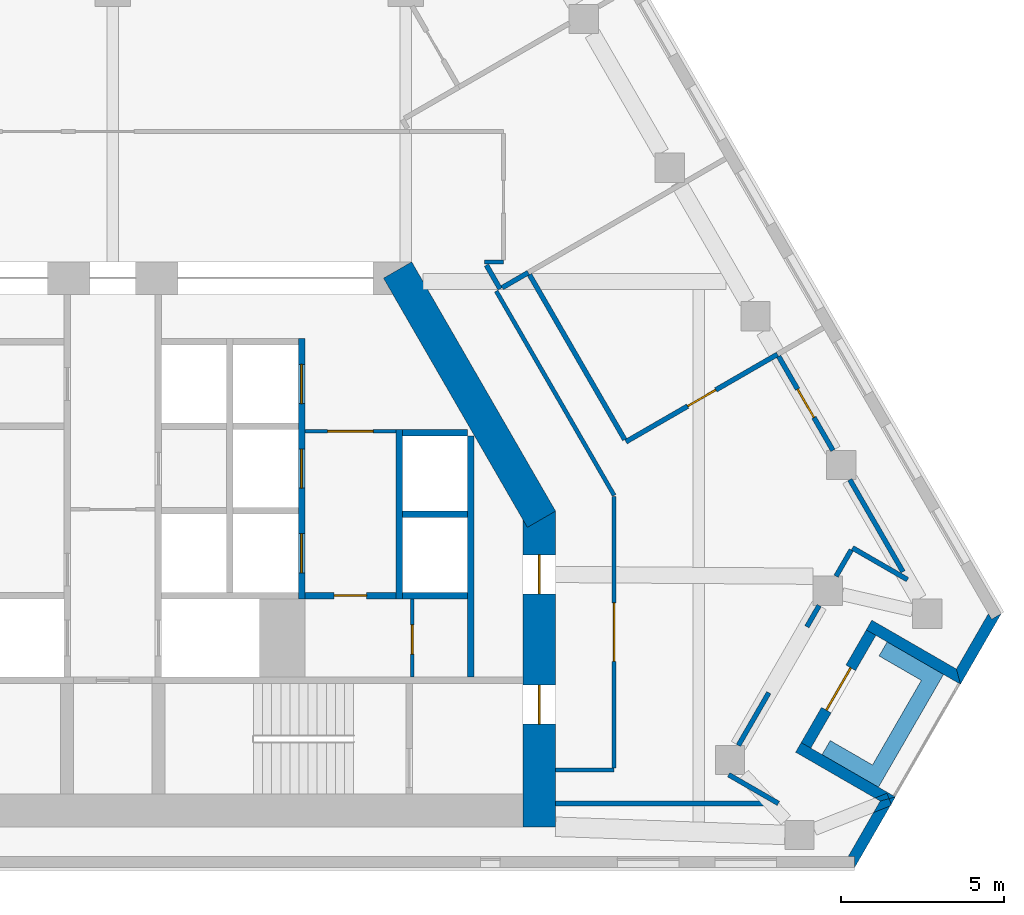
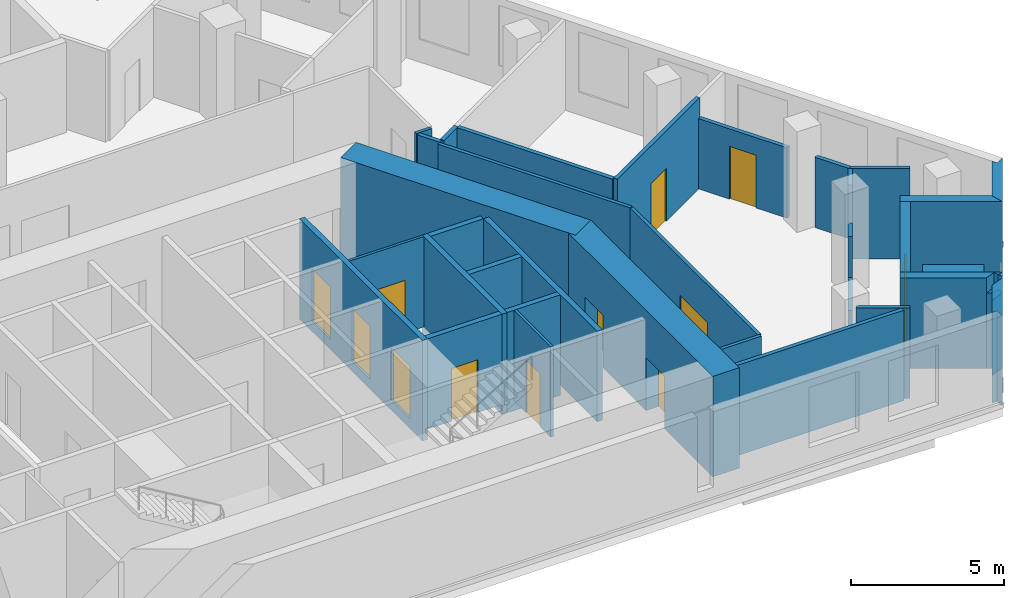
# One storey, part 6 of 9: 36 walls, 12 doors, 12 openings.
"""IFC4 building model written with IfcOpenShell, lengths in metres."""

from ifc_helpers import new_model, si_unit, direction, frame, frame_2d, origin, place, context, subcontext, project, spatial, polyline, rectangle, outline, extrude, material, layer, layer_set, type_object, element, fill, save


model = new_model("IFC4")

# Units and contexts
model_context = context("Model", 3, precision=1e-05, world=origin(), true_north=direction((0.0, 1.0)))
body_context = subcontext(model_context, "Body", "Model", "MODEL_VIEW")
ifc_project = project(units=[si_unit("LENGTHUNIT", "METRE"), si_unit("AREAUNIT", "SQUARE_METRE"), si_unit("VOLUMEUNIT", "CUBIC_METRE"), si_unit("PLANEANGLEUNIT", "RADIAN"), si_unit("MASSUNIT", "GRAM", prefix="KILO")], contexts=[model_context])

# Site, building, storey
site_placement = place(None, origin())
site = spatial("IfcSite", under=ifc_project, at=site_placement, CompositionType="ELEMENT")
building_placement = place(site_placement, origin())
building = spatial("IfcBuilding", under=site, at=building_placement, Name="Fogline Exchange Tower", CompositionType="ELEMENT")
storey_placement = place(building_placement, frame((0.0, 0.0, 206.10009765625)))
storey = spatial("IfcBuildingStorey", under=building, at=storey_placement, Name="L46", CompositionType="ELEMENT", Elevation=206.10009765625)

# Wall, opening, door
ifc_material_1 = material(Name="Blockwork partition", Category="masonry")
ifc_layer_1 = layer(ifc_material_1, 0.10009765625)
ifc_layer_set_1 = layer_set([ifc_layer_1], Name="CW10")
wall_type_1 = type_object("IfcWallType", Name="CW10", PredefinedType="PARTITIONING", material=ifc_layer_set_1)
wall_1_placement = place(storey_placement, frame((5.89990234375, 13.39990234375, 0.0), z_axis=(0.0, 0.0, 1.0), x_axis=(1.0, 0.0, 0.0)))
wall_1 = element("IfcWall", 1, at=wall_1_placement, inside=storey, type_object=wall_type_1, Name="Lift lobby partition", PredefinedType="PARTITIONING", context=body_context, shape_type="SweptSolid", body=[
    extrude(rectangle(XDim=2.800048828125, YDim=0.10009765625, at=frame_2d((1.39990234375, 0.0))), origin(), (0.0, 0.0, 1.0), 3.599853515625),
])
opening_1_placement = place(wall_1_placement, frame((0.699951171875, 0.0, 0.0)))
opening_1 = element("IfcOpeningElement", 2, at=opening_1_placement, cuts=wall_1, Name="Opening T15-C013", PredefinedType="OPENING", context=body_context, shape_type="SweptSolid", body=[
    extrude(rectangle(XDim=1.39990234375, YDim=2.10009765625, at=frame_2d((0.699951171875, 1.050048828125))), frame((0.0, 0.06005859375, 0.0), z_axis=(0.0, -1.0, 0.0), x_axis=(1.0, 0.0, 0.0)), (0.0, 0.0, 1.0), 0.1201171875),
])
ifc_material_2 = material(Name="Steel and timber fire door", Category="steel")
door_type_1 = type_object("IfcDoorType", Name="D-LB1", OperationType="DOUBLE_DOOR_SINGLE_SWING", PredefinedType="DOOR", material=ifc_material_2)
door_1_placement = place(opening_1_placement, frame((1.39990234375, 0.0, 0.0), z_axis=(0.0, 0.0, 1.0), x_axis=(-1.0, 0.0, 0.0)))
door_1 = element("IfcDoor", 3, at=door_1_placement, inside=storey, type_object=door_type_1, Name="Door to lift lobby", OperationType="DOUBLE_DOOR_SINGLE_SWING", OverallHeight=2.10009765625, OverallWidth=1.39990234375, PredefinedType="DOOR", context=body_context, shape_type="SweptSolid", body=[
    extrude(rectangle(XDim=1.39990234375, YDim=2.10009765625, at=frame_2d((0.699951171875, 1.050048828125))), frame((0.0, 0.02490234375, 0.0), z_axis=(0.0, -1.0, 0.0), x_axis=(1.0, 0.0, 0.0)), (0.0, 0.0, 1.0), 0.050048828125),
])
fill(opening_1, door_1)

wall_2_placement = place(storey_placement, frame((9.199951171875, 5.85009765625, 0.0), z_axis=(0.0, 0.0, 1.0), x_axis=(0.0, 1.0, 0.0)))
wall_2 = element("IfcWall", 4, at=wall_2_placement, inside=storey, type_object=wall_type_1, Name="WC partition", PredefinedType="PARTITIONING", context=body_context, shape_type="SweptSolid", body=[
    extrude(rectangle(XDim=2.39990234375, YDim=0.10009765625, at=frame_2d((1.199951171875, 0.0))), origin(), (0.0, 0.0, 1.0), 3.599853515625),
])
opening_2_placement = place(wall_2_placement, frame((0.699951171875, 0.0, 0.0)))
opening_2 = element("IfcOpeningElement", 5, at=opening_2_placement, cuts=wall_2, Name="Opening T15-C015", PredefinedType="OPENING", context=body_context, shape_type="SweptSolid", body=[
    extrude(rectangle(XDim=0.89990234375, YDim=2.10009765625, at=frame_2d((0.449951171875, 1.050048828125))), frame((0.0, 0.06005859375, 0.0), z_axis=(0.0, -1.0, 0.0), x_axis=(1.0, 0.0, 0.0)), (0.0, 0.0, 1.0), 0.1201171875),
])
door_type_2 = type_object("IfcDoorType", Name="D-CS1", OperationType="SINGLE_SWING_RIGHT", PredefinedType="DOOR", material=ifc_material_2)
door_2_placement = place(opening_2_placement, frame((0.89990234375, 0.0, 0.0), z_axis=(0.0, 0.0, 1.0), x_axis=(-1.0, 0.0, 0.0)))
door_2 = element("IfcDoor", 6, at=door_2_placement, inside=storey, type_object=door_type_2, Name="Door to Cleaner's Store", OperationType="SINGLE_SWING_RIGHT", OverallHeight=2.10009765625, OverallWidth=0.89990234375, PredefinedType="DOOR", context=body_context, shape_type="SweptSolid", body=[
    extrude(rectangle(XDim=0.89990234375, YDim=2.10009765625, at=frame_2d((0.449951171875, 1.050048828125))), frame((0.0, 0.02490234375, 0.0), z_axis=(0.0, -1.0, 0.0), x_axis=(1.0, 0.0, 0.0)), (0.0, 0.0, 1.0), 0.050048828125),
])
fill(opening_2, door_2)

# Wall
ifc_material_3 = material(Name="Concrete C40", Category="concrete")
ifc_layer_2 = layer(ifc_material_3, 0.199951171875)
ifc_layer_set_2 = layer_set([ifc_layer_2], Name="CW20")
wall_type_2 = type_object("IfcWallType", Name="CW20", PredefinedType="SOLIDWALL", material=ifc_layer_set_2)
wall_3_placement = place(storey_placement, frame((11.0, 5.85009765625, 0.0), z_axis=(0.0, 0.0, 1.0), x_axis=(0.0, 1.0, 0.0)))
element("IfcWall", 7, at=wall_3_placement, inside=storey, type_object=wall_type_2, Name="Service room wall", PredefinedType="SOLIDWALL", context=body_context, shape_type="SweptSolid", body=[
    extrude(rectangle(XDim=7.39990234375, YDim=0.199951171875, at=frame_2d((3.699951171875, 0.0))), origin(), (0.0, 0.0, 1.0), 3.599853515625),
])

# Wall, opening, door
wall_4_placement = place(storey_placement, frame((5.89990234375, 8.35009765625, 0.0), z_axis=(0.0, 0.0, 1.0), x_axis=(1.0, 0.0, 0.0)))
wall_4 = element("IfcWall", 8, at=wall_4_placement, inside=storey, type_object=wall_type_2, Name="WC wall", PredefinedType="SOLIDWALL", context=body_context, shape_type="SweptSolid", body=[
    extrude(rectangle(XDim=2.800048828125, YDim=0.199951171875, at=frame_2d((1.39990234375, 0.0))), origin(), (0.0, 0.0, 1.0), 3.599853515625),
])
opening_3_placement = place(wall_4_placement, frame((0.89990234375, 0.0, 0.0)))
opening_3 = element("IfcOpeningElement", 9, at=opening_3_placement, cuts=wall_4, Name="Opening T15-C014", PredefinedType="OPENING", context=body_context, shape_type="SweptSolid", body=[
    extrude(rectangle(XDim=1.0, YDim=2.10009765625, at=frame_2d((0.5, 1.050048828125))), frame((0.0, 0.10986328125, 0.0), z_axis=(0.0, -1.0, 0.0), x_axis=(1.0, 0.0, 0.0)), (0.0, 0.0, 1.0), 0.219970703125),
])
door_type_3 = type_object("IfcDoorType", Name="D-WC1", OperationType="SINGLE_SWING_LEFT", PredefinedType="DOOR", material=ifc_material_2)
door_3_placement = place(opening_3_placement, frame((1.0, 0.0, 0.0), z_axis=(0.0, 0.0, 1.0), x_axis=(-1.0, 0.0, 0.0)))
door_3 = element("IfcDoor", 10, at=door_3_placement, inside=storey, type_object=door_type_3, Name="Door to Women's WC", OperationType="SINGLE_SWING_LEFT", OverallHeight=2.10009765625, OverallWidth=1.0, PredefinedType="DOOR", context=body_context, shape_type="SweptSolid", body=[
    extrude(rectangle(XDim=1.0, YDim=2.10009765625, at=frame_2d((0.5, 1.050048828125))), frame((0.0, 0.02490234375, 0.0), z_axis=(0.0, -1.0, 0.0), x_axis=(1.0, 0.0, 0.0)), (0.0, 0.0, 1.0), 0.050048828125),
])
fill(opening_3, door_3)

# Wall
ifc_layer_3 = layer(ifc_material_3, 0.199951171875)
ifc_layer_set_3 = layer_set([ifc_layer_3], Name="CW20S")
wall_type_3 = type_object("IfcWallType", Name="CW20S", PredefinedType="SOLIDWALL", material=ifc_layer_set_3)
wall_5_placement = place(storey_placement, frame((8.800048828125, 8.25, -0.400146484375), z_axis=(0.0, 0.0, 1.0), x_axis=(0.0, 1.0, 0.0)))
element("IfcWall", 11, at=wall_5_placement, inside=storey, type_object=wall_type_3, Name="Lift shaft wall", PredefinedType="SOLIDWALL", context=body_context, shape_type="SweptSolid", body=[
    extrude(rectangle(XDim=5.199951171875, YDim=0.199951171875, at=frame_2d((2.60009765625, 0.0))), origin(), (0.0, 0.0, 1.0), 4.0),
])

# Wall, openings, doors
wall_6_placement = place(storey_placement, frame((5.800048828125, 8.25, -0.400146484375), z_axis=(0.0, 0.0, 1.0), x_axis=(0.0, 1.0, 0.0)))
wall_6 = element("IfcWall", 12, at=wall_6_placement, inside=storey, type_object=wall_type_3, Name="Lift shaft wall", PredefinedType="SOLIDWALL", context=body_context, shape_type="SweptSolid", body=[
    extrude(rectangle(XDim=8.0, YDim=0.199951171875, at=frame_2d((4.0, 0.0))), origin(), (0.0, 0.0, 1.0), 4.0),
])
opening_4_placement = place(wall_6_placement, frame((0.800048828125, 0.0, 0.39990234375)))
opening_4 = element("IfcOpeningElement", 13, at=opening_4_placement, cuts=wall_6, Name="Opening T15-LD02", PredefinedType="OPENING", context=body_context, shape_type="SweptSolid", body=[
    extrude(rectangle(XDim=1.199951171875, YDim=2.10009765625, at=frame_2d((0.60009765625, 1.050048828125))), frame((0.0, 0.10986328125, 0.0), z_axis=(0.0, -1.0, 0.0), x_axis=(1.0, 0.0, 0.0)), (0.0, 0.0, 1.0), 0.219970703125),
])
opening_5_placement = place(wall_6_placement, frame((3.39990234375, 0.0, 0.39990234375)))
opening_5 = element("IfcOpeningElement", 14, at=opening_5_placement, cuts=wall_6, Name="Opening T15-LD03", PredefinedType="OPENING", context=body_context, shape_type="SweptSolid", body=[
    extrude(rectangle(XDim=1.199951171875, YDim=2.10009765625, at=frame_2d((0.60009765625, 1.050048828125))), frame((0.0, 0.10986328125, 0.0), z_axis=(0.0, -1.0, 0.0), x_axis=(1.0, 0.0, 0.0)), (0.0, 0.0, 1.0), 0.219970703125),
])
opening_6_placement = place(wall_6_placement, frame((6.0, 0.0, 0.39990234375)))
opening_6 = element("IfcOpeningElement", 15, at=opening_6_placement, cuts=wall_6, Name="Opening T15-LD04", PredefinedType="OPENING", context=body_context, shape_type="SweptSolid", body=[
    extrude(rectangle(XDim=1.199951171875, YDim=2.10009765625, at=frame_2d((0.60009765625, 1.050048828125))), frame((0.0, 0.10986328125, 0.0), z_axis=(0.0, -1.0, 0.0), x_axis=(1.0, 0.0, 0.0)), (0.0, 0.0, 1.0), 0.219970703125),
])
door_type_4 = type_object("IfcDoorType", Name="LD1", OperationType="SLIDING_TO_LEFT", PredefinedType="DOOR", material=ifc_material_2)
door_4_placement = place(opening_4_placement, origin())
door_4 = element("IfcDoor", 16, at=door_4_placement, inside=storey, type_object=door_type_4, Name="Landing door MR1", OperationType="SLIDING_TO_LEFT", OverallHeight=2.10009765625, OverallWidth=1.199951171875, PredefinedType="DOOR", context=body_context, shape_type="SweptSolid", body=[
    extrude(rectangle(XDim=1.199951171875, YDim=2.10009765625, at=frame_2d((0.60009765625, 1.050048828125))), frame((0.0, 0.02490234375, 0.0), z_axis=(0.0, -1.0, 0.0), x_axis=(1.0, 0.0, 0.0)), (0.0, 0.0, 1.0), 0.050048828125),
])
fill(opening_4, door_4)
door_5_placement = place(opening_5_placement, origin())
door_5 = element("IfcDoor", 17, at=door_5_placement, inside=storey, type_object=door_type_4, Name="Landing door MR2", OperationType="SLIDING_TO_LEFT", OverallHeight=2.10009765625, OverallWidth=1.199951171875, PredefinedType="DOOR", context=body_context, shape_type="SweptSolid", body=[
    extrude(rectangle(XDim=1.199951171875, YDim=2.10009765625, at=frame_2d((0.60009765625, 1.050048828125))), frame((0.0, 0.02490234375, 0.0), z_axis=(0.0, -1.0, 0.0), x_axis=(1.0, 0.0, 0.0)), (0.0, 0.0, 1.0), 0.050048828125),
])
fill(opening_5, door_5)
door_6_placement = place(opening_6_placement, origin())
door_6 = element("IfcDoor", 18, at=door_6_placement, inside=storey, type_object=door_type_4, Name="Landing door MR3", OperationType="SLIDING_TO_LEFT", OverallHeight=2.10009765625, OverallWidth=1.199951171875, PredefinedType="DOOR", context=body_context, shape_type="SweptSolid", body=[
    extrude(rectangle(XDim=1.199951171875, YDim=2.10009765625, at=frame_2d((0.60009765625, 1.050048828125))), frame((0.0, 0.02490234375, 0.0), z_axis=(0.0, -1.0, 0.0), x_axis=(1.0, 0.0, 0.0)), (0.0, 0.0, 1.0), 0.050048828125),
])
fill(opening_6, door_6)

# Walls
for number, where, z_axis, x_axis, name in (
    (19, (8.89990234375, 8.35009765625, -0.400146484375), (0.0, 0.0, 1.0), (1.0, 0.0, 0.0), "Lift shaft wall"),
    (20, (8.89990234375, 10.85009765625, -0.400146484375), (0.0, 0.0, 1.0), (1.0, 0.0, 0.0), "Lift shaft wall"),
    (21, (8.89990234375, 13.35009765625, -0.400146484375), (0.0, 0.0, 1.0), (1.0, 0.0, 0.0), "Lift shaft wall"),
):
    element("IfcWall", number, at=place(storey_placement, frame(where, z_axis=z_axis, x_axis=x_axis)), inside=storey, type_object=wall_type_3, Name=name, PredefinedType="SOLIDWALL", context=body_context, shape_type="SweptSolid", body=[
        extrude(rectangle(XDim=2.0, YDim=0.199951171875, at=frame_2d((1.0, 0.0))), origin(), (0.0, 0.0, 1.0), 4.0),
    ])
ifc_material_4 = material(Name="Brick masonry", Category="masonry")
ifc_layer_4 = layer(ifc_material_4, 0.340087890625)
ifc_layer_set_4 = layer_set([ifc_layer_4], Name="FW1")
wall_type_4 = type_object("IfcWallType", Name="FW1", PredefinedType="SOLIDWALL", material=ifc_layer_set_4)
wall_7_placement = place(storey_placement, origin())
element("IfcWall", 22, at=wall_7_placement, inside=storey, type_object=wall_type_4, Name="Brick wall L46 SE-c1", PredefinedType="SOLIDWALL", context=body_context, shape_type="SweptSolid", body=[
    extrude(outline(polyline([(23.878173828125, 1.8896484375), (23.3671875, 1.68701171875), (23.57177734375, 2.041015625), (23.84375, 2.114013671875), (23.91064453125, 1.945556640625), (23.878173828125, 1.8896484375)])), origin(), (0.0, 0.0, 1.0), 3.0),
])
wall_8_placement = place(storey_placement, origin())
element("IfcWall", 23, at=wall_8_placement, inside=storey, type_object=wall_type_4, Name="Brick wall L46 SE-c1", PredefinedType="SOLIDWALL", context=body_context, shape_type="SweptSolid", body=[
    extrude(outline(polyline([(23.91064453125, 1.945556640625), (23.84375, 2.114013671875), (24.037353515625, 2.166015625), (24.03759765625, 2.165771484375), (23.91064453125, 1.945556640625)])), origin(), (0.0, 0.0, 1.0), 3.599853515625),
])
wall_9_placement = place(storey_placement, origin())
element("IfcWall", 24, at=wall_9_placement, inside=storey, type_object=wall_type_4, Name="Brick wall L46 SE-c1", PredefinedType="SOLIDWALL", context=body_context, shape_type="SweptSolid", body=[
    extrude(outline(polyline([(22.78662109375, -0.001220703125), (22.785888671875, -0.0009765625), (22.785888671875, 0.33935546875), (22.589111328125, 0.33935546875), (23.3671875, 1.68701171875), (23.878173828125, 1.8896484375), (22.78662109375, -0.001220703125)])), origin(), (0.0, 0.0, 1.0), 3.599853515625),
])
wall_10_placement = place(storey_placement, origin())
element("IfcWall", 25, at=wall_10_placement, inside=storey, type_object=wall_type_4, Name="Brick wall L46 SE-s1", PredefinedType="SOLIDWALL", context=body_context, shape_type="SweptSolid", body=[
    extrude(outline(polyline([(23.572021484375, 2.0400390625), (23.4091796875, 2.134033203125), (23.77783203125, 2.2802734375), (23.84423828125, 2.113037109375), (23.572021484375, 2.0400390625)])), origin(), (0.0, 0.0, 1.0), 3.0),
])
wall_11_placement = place(storey_placement, origin())
element("IfcWall", 26, at=wall_11_placement, inside=storey, type_object=wall_type_4, Name="Brick wall L46 SE-s1", PredefinedType="SOLIDWALL", context=body_context, shape_type="SweptSolid", body=[
    extrude(outline(polyline([(21.143798828125, 3.8359375), (21.438720703125, 3.66552734375), (24.037841796875, 2.1650390625), (24.03759765625, 2.164794921875), (23.84423828125, 2.113037109375), (23.77783203125, 2.2802734375), (23.4091796875, 2.134033203125), (20.97314453125, 3.540283203125), (21.143798828125, 3.8359375)])), origin(), (0.0, 0.0, 1.0), 3.599853515625),
])

# Wall, opening, door
wall_12_placement = place(storey_placement, frame((21.291259765625, 3.75, 0.0), z_axis=(0.0, 0.0, 1.0), x_axis=(0.49999894854, 0.866026010844, 0.0)))
wall_12 = element("IfcWall", 27, at=wall_12_placement, inside=storey, type_object=wall_type_4, Name="Brick wall L46 SE-bk", PredefinedType="SOLIDWALL", context=body_context, shape_type="SweptSolid", body=[
    extrude(rectangle(XDim=4.0, YDim=0.340087890625, at=frame_2d((2.0, 0.0))), origin(), (0.0, 0.0, 1.0), 3.599853515625),
])
opening_7_placement = place(wall_12_placement, frame((1.25, 0.0, 0.0)))
opening_7 = element("IfcOpeningElement", 28, at=opening_7_placement, cuts=wall_12, Name="Opening T15-E081", PredefinedType="OPENING", context=body_context, shape_type="SweptSolid", body=[
    extrude(rectangle(XDim=1.5, YDim=2.39990234375, at=frame_2d((0.75, 1.199951171875))), frame((0.0, 0.18017578125, 0.0), z_axis=(0.0, -1.0, 0.0), x_axis=(1.0, 0.0, 0.0)), (0.0, 0.0, 1.0), 0.360107421875),
])
ifc_material_5 = material(Name="Aluminium and glass", Category="aluminium")
door_type_5 = type_object("IfcDoorType", Name="ED4", OperationType="SINGLE_SWING_LEFT", PredefinedType="DOOR", material=ifc_material_5)
door_7_placement = place(opening_7_placement, frame((1.5, 0.0, 0.0), z_axis=(0.0, 0.0, 1.0), x_axis=(-1.0, 0.0, 0.0)))
door_7 = element("IfcDoor", 29, at=door_7_placement, inside=storey, type_object=door_type_5, Name="Balcony door L46 SE", OperationType="DOUBLE_DOOR_SINGLE_SWING", OverallHeight=2.39990234375, OverallWidth=1.5, PredefinedType="DOOR", context=body_context, shape_type="SweptSolid", body=[
    extrude(rectangle(XDim=1.5, YDim=2.39990234375, at=frame_2d((0.75, 1.199951171875))), frame((0.0, 0.02490234375, 0.0), z_axis=(0.0, -1.0, 0.0), x_axis=(1.0, 0.0, 0.0)), (0.0, 0.0, 1.0), 0.050048828125),
])
fill(opening_7, door_7)

# Walls
wall_13_placement = place(storey_placement, origin())
element("IfcWall", 30, at=wall_13_placement, inside=storey, type_object=wall_type_4, Name="Brick wall L46 SE-s2", PredefinedType="SOLIDWALL", context=body_context, shape_type="SweptSolid", body=[
    extrude(outline(polyline([(26.037109375, 5.628173828125), (23.438232421875, 7.128662109375), (23.14306640625, 7.298828125), (23.313720703125, 7.594482421875), (25.91259765625, 6.093994140625), (26.037353515625, 5.62841796875), (26.037109375, 5.628173828125)])), origin(), (0.0, 0.0, 1.0), 3.599853515625),
])
wall_14_placement = place(storey_placement, origin())
element("IfcWall", 31, at=wall_14_placement, inside=storey, type_object=wall_type_4, Name="Brick wall L46 SE-c2", PredefinedType="SOLIDWALL", context=body_context, shape_type="SweptSolid", body=[
    extrude(outline(polyline([(26.89404296875, 7.79541015625), (26.9921875, 7.625), (27.287109375, 7.79541015625), (27.28759765625, 7.794921875), (26.03662109375, 5.6279296875), (26.0361328125, 5.6279296875), (25.911376953125, 6.09375), (26.89404296875, 7.79541015625)])), origin(), (0.0, 0.0, 1.0), 3.599853515625),
])
ifc_material_6 = material(Name="Concrete C30", Category="concrete")
ifc_layer_5 = layer(ifc_material_6, 0.199951171875)
ifc_layer_set_5 = layer_set([ifc_layer_5], Name="PL1")
wall_type_5 = type_object("IfcWallType", Name="PL1", PredefinedType="USERDEFINED", material=ifc_layer_set_5)
wall_15_placement = place(storey_placement, origin())
element("IfcWall", 32, at=wall_15_placement, inside=storey, type_object=wall_type_5, Name="PLANTER balcony L46 SE", ObjectType="PLANTER", PredefinedType="USERDEFINED", context=body_context, shape_type="SweptSolid", body=[
    extrude(outline(polyline([(21.784912109375, 3.465087890625), (23.083984375, 2.715087890625), (23.083984375, 2.715087890625), (23.516845703125, 2.465087890625), (25.266845703125, 5.49609375), (25.516845703125, 5.92919921875), (23.784912109375, 6.92919921875), (23.534912109375, 6.49609375), (24.833984375, 5.74609375), (23.333984375, 3.148193359375), (22.034912109375, 3.898193359375), (21.784912109375, 3.465087890625)])), origin(), (0.0, 0.0, 1.0), 1.099853515625),
])
ifc_material_7 = material(Name="Plasterboard corridor partition with mineral wool, 2 layers each side")
ifc_layer_6 = layer(ifc_material_7, 0.125)
ifc_layer_set_6 = layer_set([ifc_layer_6], Name="PW2")
wall_type_6 = type_object("IfcWallType", Name="PW2", PredefinedType="PARTITIONING", material=ifc_layer_set_6)
wall_16_placement = place(storey_placement, frame((11.77734375, 17.702392578125, 0.0), z_axis=(0.0, 0.0, 1.0), x_axis=(0.499987887718, -0.866032396701, 0.0)))
element("IfcWall", 33, at=wall_16_placement, inside=storey, type_object=wall_type_6, Name="wall-L46-W001", PredefinedType="PARTITIONING", context=body_context, shape_type="SweptSolid", body=[
    extrude(rectangle(XDim=7.245361328125, YDim=0.125, at=frame_2d((3.62255859375, 0.0))), origin(), (0.0, 0.0, 1.0), 3.599853515625),
])

# Wall, opening, door
wall_17_placement = place(storey_placement, frame((15.39990234375, 11.396728515625, 0.0), z_axis=(0.0, 0.0, 1.0), x_axis=(0.0, -1.0, 0.0)))
wall_17 = element("IfcWall", 34, at=wall_17_placement, inside=storey, type_object=wall_type_6, Name="wall-L46-W002", PredefinedType="PARTITIONING", context=body_context, shape_type="SweptSolid", body=[
    extrude(rectangle(XDim=8.334228515625, YDim=0.125, at=frame_2d((4.1669921875, 0.0))), origin(), (0.0, 0.0, 1.0), 3.599853515625),
])
opening_8_placement = place(wall_17_placement, frame((3.26708984375, 0.0, 0.0)))
opening_8 = element("IfcOpeningElement", 35, at=opening_8_placement, cuts=wall_17, Name="Opening T15-D001", PredefinedType="OPENING", context=body_context, shape_type="SweptSolid", body=[
    extrude(rectangle(XDim=1.800048828125, YDim=2.10009765625, at=frame_2d((0.89990234375, 1.050048828125))), frame((0.0, 0.072509765625, 0.0), z_axis=(0.0, -1.0, 0.0), x_axis=(1.0, 0.0, 0.0)), (0.0, 0.0, 1.0), 0.14501953125),
])
ifc_material_8 = material(Name="Fire-rated timber door leaves with steel frame", Category="steel")
door_type_6 = type_object("IfcDoorType", Name="D4", OperationType="DOUBLE_DOOR_SINGLE_SWING", PredefinedType="DOOR", material=ifc_material_8)
door_8_placement = place(opening_8_placement, frame((1.800048828125, 0.0, 0.0), z_axis=(0.0, 0.0, 1.0), x_axis=(-1.0, 0.0, 0.0)))
door_8 = element("IfcDoor", 36, at=door_8_placement, inside=storey, type_object=door_type_6, Name="door-L46-D001", OperationType="DOUBLE_DOOR_SINGLE_SWING", OverallHeight=2.10009765625, OverallWidth=1.800048828125, PredefinedType="DOOR", context=body_context, shape_type="SweptSolid", body=[
    extrude(rectangle(XDim=1.800048828125, YDim=2.10009765625, at=frame_2d((0.89990234375, 1.050048828125))), frame((0.0, 0.02490234375, 0.0), z_axis=(0.0, -1.0, 0.0), x_axis=(1.0, 0.0, 0.0)), (0.0, 0.0, 1.0), 0.050048828125),
])
fill(opening_8, door_8)

# Walls
wall_18_placement = place(storey_placement, frame((15.39990234375, 3.0, 0.0), z_axis=(0.0, 0.0, 1.0), x_axis=(-1.0, 0.0, 0.0)))
element("IfcWall", 37, at=wall_18_placement, inside=storey, type_object=wall_type_6, Name="wall-L46-W003", PredefinedType="PARTITIONING", context=body_context, shape_type="SweptSolid", body=[
    extrude(rectangle(XDim=1.7998046875, YDim=0.125, at=frame_2d((0.89990234375, 0.0))), origin(), (0.0, 0.0, 1.0), 3.599853515625),
])
wall_19_placement = place(storey_placement, frame((12.0, 18.60009765625, 0.0), z_axis=(0.0, 0.0, 1.0), x_axis=(-1.0, 0.0, 0.0)))
element("IfcWall", 38, at=wall_19_placement, inside=storey, type_object=wall_type_6, Name="wall-L46-W006", PredefinedType="PARTITIONING", context=body_context, shape_type="SweptSolid", body=[
    extrude(rectangle(XDim=0.58251953125, YDim=0.125, at=frame_2d((0.291259765625, 0.0))), origin(), (0.0, 0.0, 1.0), 3.599853515625),
])
ifc_material_9 = material(Name="Plasterboard demising partition with mineral wool and acoustic board")
ifc_layer_7 = layer(ifc_material_9, 0.14990234375)
ifc_layer_set_7 = layer_set([ifc_layer_7], Name="PW3")
wall_type_7 = type_object("IfcWallType", Name="PW3", PredefinedType="PARTITIONING", material=ifc_layer_set_7)
wall_20_placement = place(storey_placement, frame((12.761962890625, 18.271484375, 0.0), z_axis=(0.0, 0.0, 1.0), x_axis=(-0.865943820382, -0.500141279983, 0.0)))
element("IfcWall", 39, at=wall_20_placement, inside=storey, type_object=wall_type_7, Name="wall-L46-W020", PredefinedType="PARTITIONING", context=body_context, shape_type="SweptSolid", body=[
    extrude(rectangle(XDim=0.925048828125, YDim=0.14990234375, at=frame_2d((0.46240234375, 0.0))), origin(), (0.0, 0.0, 1.0), 3.599853515625),
])
wall_21_placement = place(storey_placement, frame((11.89599609375, 17.771484375, 0.0), z_axis=(0.0, 0.0, 1.0), x_axis=(-0.500074377092, 0.865982457891, 0.0)))
element("IfcWall", 40, at=wall_21_placement, inside=storey, type_object=wall_type_7, Name="wall-L46-W021", PredefinedType="PARTITIONING", context=body_context, shape_type="SweptSolid", body=[
    extrude(rectangle(XDim=0.840576171875, YDim=0.14990234375, at=frame_2d((0.42041015625, 0.0))), origin(), (0.0, 0.0, 1.0), 3.599853515625),
])
wall_22_placement = place(storey_placement, frame((13.60009765625, 1.967529296875, 0.0), z_axis=(0.0, 0.0, 1.0), x_axis=(1.0, 0.0, 0.0)))
element("IfcWall", 41, at=wall_22_placement, inside=storey, type_object=wall_type_7, Name="wall-L46-W046", PredefinedType="PARTITIONING", context=body_context, shape_type="SweptSolid", body=[
    extrude(rectangle(XDim=6.563232421875, YDim=0.14990234375, at=frame_2d((3.28173828125, 0.0))), origin(), (0.0, 0.0, 1.0), 3.599853515625),
])
wall_23_placement = place(storey_placement, frame((20.443603515625, 1.967529296875, 0.0), z_axis=(0.0, 0.0, 1.0), x_axis=(-0.866010328312, 0.500026110575, 0.0)))
element("IfcWall", 42, at=wall_23_placement, inside=storey, type_object=wall_type_7, Name="wall-L46-W047", PredefinedType="PARTITIONING", context=body_context, shape_type="SweptSolid", body=[
    extrude(rectangle(XDim=1.76318359375, YDim=0.14990234375, at=frame_2d((0.881591796875, 0.0))), origin(), (0.0, 0.0, 1.0), 3.599853515625),
])
wall_24_placement = place(storey_placement, frame((19.215087890625, 3.7490234375, 0.0), z_axis=(0.0, 0.0, 1.0), x_axis=(0.499959873864, 0.866048569381, 0.0)))
element("IfcWall", 43, at=wall_24_placement, inside=storey, type_object=wall_type_7, Name="wall-L46-W048", PredefinedType="PARTITIONING", context=body_context, shape_type="SweptSolid", body=[
    extrude(rectangle(XDim=1.869384765625, YDim=0.14990234375, at=frame_2d((0.9345703125, 0.0))), origin(), (0.0, 0.0, 1.0), 2.7998046875),
])
wall_25_placement = place(storey_placement, frame((21.3193359375, 7.393798828125, 0.0), z_axis=(0.0, 0.0, 1.0), x_axis=(0.500153222552, 0.865936922628, 0.0)))
element("IfcWall", 44, at=wall_25_placement, inside=storey, type_object=wall_type_7, Name="wall-L46-W049", PredefinedType="PARTITIONING", context=body_context, shape_type="SweptSolid", body=[
    extrude(rectangle(XDim=0.752197265625, YDim=0.14990234375, at=frame_2d((0.3759765625, 0.0))), origin(), (0.0, 0.0, 1.0), 2.7998046875),
])
wall_26_placement = place(storey_placement, frame((22.215087890625, 8.9453125, 0.0), z_axis=(0.0, 0.0, 1.0), x_axis=(0.500198977292, 0.865910493709, 0.0)))
element("IfcWall", 45, at=wall_26_placement, inside=storey, type_object=wall_type_7, Name="wall-L46-W050", PredefinedType="PARTITIONING", context=body_context, shape_type="SweptSolid", body=[
    extrude(rectangle(XDim=0.93115234375, YDim=0.14990234375, at=frame_2d((0.465576171875, 0.0))), origin(), (0.0, 0.0, 1.0), 3.599853515625),
])
wall_27_placement = place(storey_placement, frame((22.71826171875, 9.81689453125, 0.0), z_axis=(0.0, 0.0, 1.0), x_axis=(0.865990075325, -0.500061185694, 0.0)))
element("IfcWall", 46, at=wall_27_placement, inside=storey, type_object=wall_type_7, Name="wall-L46-W051", PredefinedType="PARTITIONING", context=body_context, shape_type="SweptSolid", body=[
    extrude(rectangle(XDim=1.954833984375, YDim=0.14990234375, at=frame_2d((0.9775390625, 0.0))), origin(), (0.0, 0.0, 1.0), 3.599853515625),
])
wall_28_placement = place(storey_placement, frame((24.27099609375, 9.082275390625, 0.0), z_axis=(0.0, 0.0, 1.0), x_axis=(-0.499989896707, 0.866031236845, 0.0)))
element("IfcWall", 47, at=wall_28_placement, inside=storey, type_object=wall_type_7, Name="wall-L46-W052", PredefinedType="PARTITIONING", context=body_context, shape_type="SweptSolid", body=[
    extrude(rectangle(XDim=3.26611328125, YDim=0.14990234375, at=frame_2d((1.633056640625, 0.0))), origin(), (0.0, 0.0, 1.0), 2.7998046875),
])

# Wall, opening, door
wall_29_placement = place(storey_placement, frame((22.118408203125, 12.810791015625, 0.0), z_axis=(0.0, 0.0, 1.0), x_axis=(-0.500039553057, 0.866002566612, 0.0)))
wall_29 = element("IfcWall", 48, at=wall_29_placement, inside=storey, type_object=wall_type_7, Name="wall-L46-W053", PredefinedType="PARTITIONING", context=body_context, shape_type="SweptSolid", body=[
    extrude(rectangle(XDim=3.332275390625, YDim=0.14990234375, at=frame_2d((1.666015625, 0.0))), origin(), (0.0, 0.0, 1.0), 2.7998046875),
])
opening_9_placement = place(wall_29_placement, frame((1.166015625, 0.0, 0.0)))
opening_9 = element("IfcOpeningElement", 49, at=opening_9_placement, cuts=wall_29, Name="Opening T15-D013", PredefinedType="OPENING", context=body_context, shape_type="SweptSolid", body=[
    extrude(rectangle(XDim=1.0, YDim=2.10009765625, at=frame_2d((0.5, 1.050048828125))), frame((0.0, 0.0849609375, 0.0), z_axis=(0.0, -1.0, 0.0), x_axis=(1.0, 0.0, 0.0)), (0.0, 0.0, 1.0), 0.169921875),
])
ifc_material_10 = material(Name="Fire-rated timber door leaf with steel frame", Category="steel")
door_type_7 = type_object("IfcDoorType", Name="D3", OperationType="SINGLE_SWING_LEFT", PredefinedType="DOOR", material=ifc_material_10)
door_9_placement = place(opening_9_placement, frame((1.0, 0.0, 0.0), z_axis=(0.0, 0.0, 1.0), x_axis=(-1.0, 0.0, 0.0)))
door_9 = element("IfcDoor", 50, at=door_9_placement, inside=storey, type_object=door_type_7, Name="door-L46-D013", OperationType="SINGLE_SWING_LEFT", OverallHeight=2.10009765625, OverallWidth=1.0, PredefinedType="DOOR", context=body_context, shape_type="SweptSolid", body=[
    extrude(rectangle(XDim=1.0, YDim=2.10009765625, at=frame_2d((0.5, 1.050048828125))), frame((0.0, 0.02490234375, 0.0), z_axis=(0.0, -1.0, 0.0), x_axis=(1.0, 0.0, 0.0)), (0.0, 0.0, 1.0), 0.050048828125),
])
fill(opening_9, door_9)

# Wall
wall_30_placement = place(storey_placement, frame((12.799560546875, 18.206298828125, 0.0), z_axis=(0.0, 0.0, 1.0), x_axis=(0.500030735058, -0.866007658163, 0.0)))
element("IfcWall", 51, at=wall_30_placement, inside=storey, type_object=wall_type_7, Name="wall-L46-W055", PredefinedType="PARTITIONING", context=body_context, shape_type="SweptSolid", body=[
    extrude(rectangle(XDim=5.849853515625, YDim=0.14990234375, at=frame_2d((2.9248046875, 0.0))), origin(), (0.0, 0.0, 1.0), 3.599853515625),
])

# Wall, opening, door
wall_31_placement = place(storey_placement, frame((15.761962890625, 13.0751953125, 0.0), z_axis=(0.0, 0.0, 1.0), x_axis=(0.866028186671, 0.499995179869, 0.0)))
wall_31 = element("IfcWall", 52, at=wall_31_placement, inside=storey, type_object=wall_type_7, Name="wall-L46-W056", PredefinedType="PARTITIONING", context=body_context, shape_type="SweptSolid", body=[
    extrude(rectangle(XDim=5.37255859375, YDim=0.14990234375, at=frame_2d((2.686279296875, 0.0))), origin(), (0.0, 0.0, 1.0), 3.599853515625),
])
opening_10_placement = place(wall_31_placement, frame((2.186279296875, 0.0, 0.0)))
opening_10 = element("IfcOpeningElement", 53, at=opening_10_placement, cuts=wall_31, Name="Opening T15-D014", PredefinedType="OPENING", context=body_context, shape_type="SweptSolid", body=[
    extrude(rectangle(XDim=1.0, YDim=2.10009765625, at=frame_2d((0.5, 1.050048828125))), frame((0.0, 0.0849609375, 0.0), z_axis=(0.0, -1.0, 0.0), x_axis=(1.0, 0.0, 0.0)), (0.0, 0.0, 1.0), 0.169921875),
])
door_10_placement = place(opening_10_placement, origin())
door_10 = element("IfcDoor", 54, at=door_10_placement, inside=storey, type_object=door_type_7, Name="door-L46-D014", OperationType="SINGLE_SWING_LEFT", OverallHeight=2.10009765625, OverallWidth=1.0, PredefinedType="DOOR", context=body_context, shape_type="SweptSolid", body=[
    extrude(rectangle(XDim=1.0, YDim=2.10009765625, at=frame_2d((0.5, 1.050048828125))), frame((0.0, 0.02490234375, 0.0), z_axis=(0.0, -1.0, 0.0), x_axis=(1.0, 0.0, 0.0)), (0.0, 0.0, 1.0), 0.050048828125),
])
fill(opening_10, door_10)

# Wall, openings, doors
ifc_material_11 = material(Name="Concrete C60", Category="concrete")
ifc_layer_8 = layer(ifc_material_11, 1.0)
ifc_layer_set_8 = layer_set([ifc_layer_8], Name="SW03")
wall_type_8 = type_object("IfcWallType", Name="SW03", PredefinedType="SHEAR", material=ifc_layer_set_8)
wall_32_placement = place(storey_placement, frame((13.10009765625, 1.25, 0.0), z_axis=(0.0, 0.0, 1.0), x_axis=(0.0, 1.0, 0.0)))
wall_32 = element("IfcWall", 55, at=wall_32_placement, inside=storey, type_object=wall_type_8, Name="L46-W902", PredefinedType="SHEAR", context=body_context, shape_type="SweptSolid", body=[
    extrude(rectangle(XDim=9.6953125, YDim=1.0, at=frame_2d((4.84765625, 0.0))), origin(), (0.0, 0.0, 1.0), 4.0),
])
opening_11_placement = place(wall_32_placement, frame((3.14990234375, 0.0, 0.0)))
opening_11 = element("IfcOpeningElement", 56, at=opening_11_placement, cuts=wall_32, Name="Opening T15-C016", PredefinedType="OPENING", context=body_context, shape_type="SweptSolid", body=[
    extrude(rectangle(XDim=1.199951171875, YDim=2.10009765625, at=frame_2d((0.60009765625, 1.050048828125))), frame((0.0, 0.510009765625, 0.0), z_axis=(0.0, -1.0, 0.0), x_axis=(1.0, 0.0, 0.0)), (0.0, 0.0, 1.0), 1.02001953125),
])
opening_12_placement = place(wall_32_placement, frame((7.14990234375, 0.0, 0.0)))
opening_12 = element("IfcOpeningElement", 57, at=opening_12_placement, cuts=wall_32, Name="Opening T15-C018", PredefinedType="OPENING", context=body_context, shape_type="SweptSolid", body=[
    extrude(rectangle(XDim=1.199951171875, YDim=2.10009765625, at=frame_2d((0.60009765625, 1.050048828125))), frame((0.0, 0.510009765625, 0.0), z_axis=(0.0, -1.0, 0.0), x_axis=(1.0, 0.0, 0.0)), (0.0, 0.0, 1.0), 1.02001953125),
])
door_type_8 = type_object("IfcDoorType", Name="D-FR1", OperationType="SINGLE_SWING_RIGHT", PredefinedType="DOOR", material=ifc_material_2)
door_11_placement = place(opening_11_placement, origin())
door_11 = element("IfcDoor", 58, at=door_11_placement, inside=storey, type_object=door_type_8, Name="Front room door ST2", OperationType="SINGLE_SWING_RIGHT", OverallHeight=2.10009765625, OverallWidth=1.199951171875, PredefinedType="DOOR", context=body_context, shape_type="SweptSolid", body=[
    extrude(rectangle(XDim=1.199951171875, YDim=2.10009765625, at=frame_2d((0.60009765625, 1.050048828125))), frame((0.0, 0.02490234375, 0.0), z_axis=(0.0, -1.0, 0.0), x_axis=(1.0, 0.0, 0.0)), (0.0, 0.0, 1.0), 0.050048828125),
])
fill(opening_11, door_11)
door_type_9 = type_object("IfcDoorType", Name="D-SV1", OperationType="SINGLE_SWING_LEFT", PredefinedType="DOOR", material=ifc_material_2)
door_12_placement = place(opening_12_placement, origin())
door_12 = element("IfcDoor", 59, at=door_12_placement, inside=storey, type_object=door_type_9, Name="Service door E", OperationType="SINGLE_SWING_RIGHT", OverallHeight=2.10009765625, OverallWidth=1.199951171875, PredefinedType="DOOR", context=body_context, shape_type="SweptSolid", body=[
    extrude(rectangle(XDim=1.199951171875, YDim=2.10009765625, at=frame_2d((0.60009765625, 1.050048828125))), frame((0.0, 0.02490234375, 0.0), z_axis=(0.0, -1.0, 0.0), x_axis=(1.0, 0.0, 0.0)), (0.0, 0.0, 1.0), 0.050048828125),
])
fill(opening_12, door_12)

# Wall
wall_33_placement = place(storey_placement, frame((13.1669921875, 10.6953125, 0.0), z_axis=(0.0, 0.0, 1.0), x_axis=(-0.499995021168, 0.866028278295, 0.0)))
element("IfcWall", 60, at=wall_33_placement, inside=storey, type_object=wall_type_8, Name="L46-W903", PredefinedType="SHEAR", context=body_context, shape_type="SweptSolid", body=[
    extrude(rectangle(XDim=8.8388671875, YDim=1.0, at=frame_2d((4.41943359375, 0.0))), origin(), (0.0, 0.0, 1.0), 4.0),
])

save(model, "model.ifc")
